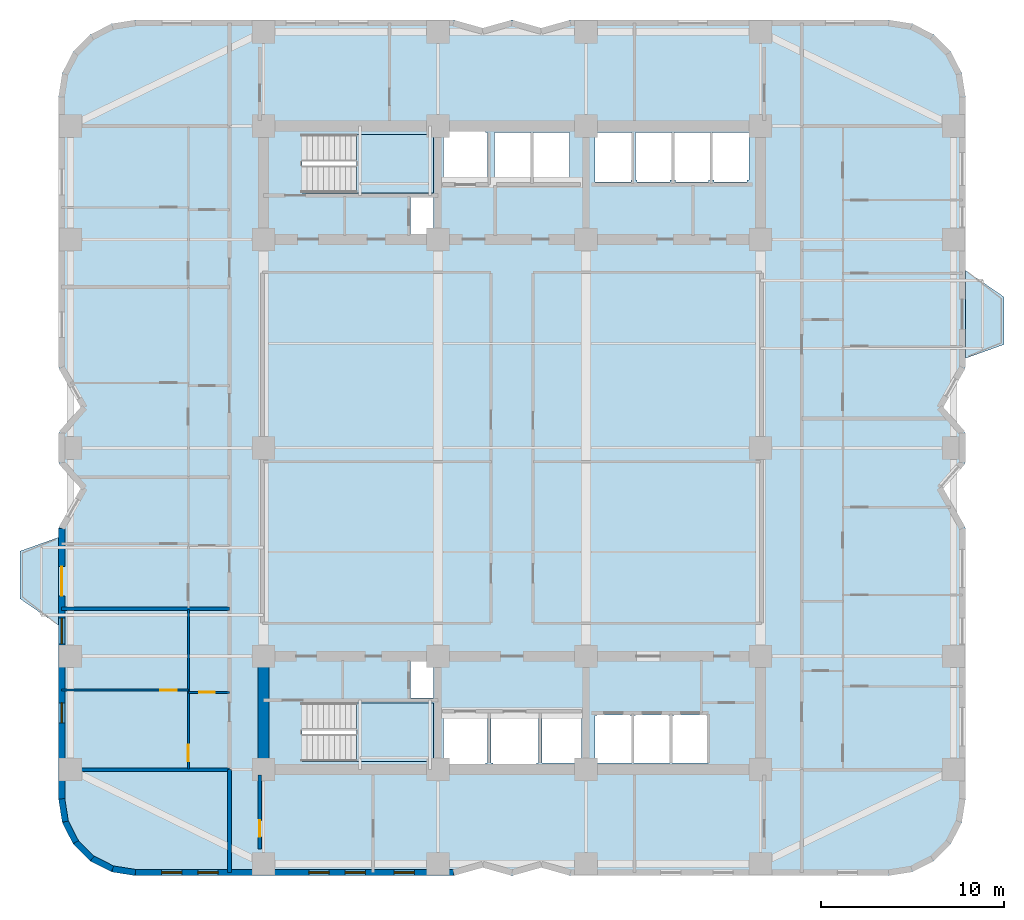
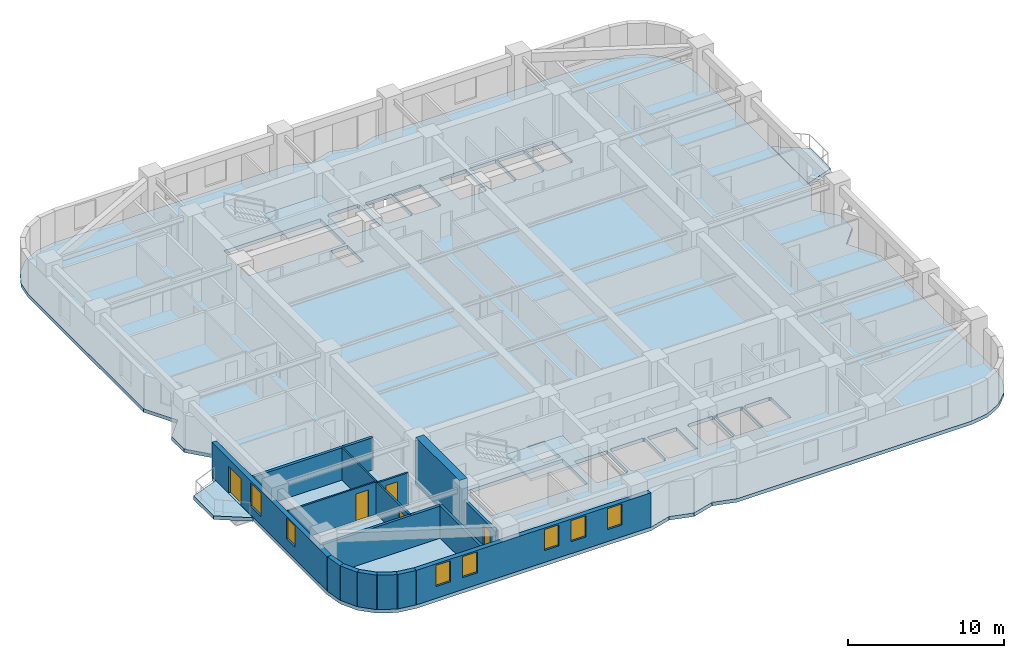
# One storey, part 2 of 9: 15 walls, 7 windows, 5 doors, 5 slabs, 12 openings, 2 elements without a shape of their own.
"""IFC4 building model written with IfcOpenShell, lengths in metres."""

import ifcopenshell
import ifcopenshell.guid

model = None  # the IFC model being written
_history = None  # IfcOwnerHistory: only IFC2X3 demands one
_inside = {}  # id of a spatial element -> (the spatial element, [elements in it])
_under = {}  # id of a project, library or spatial element -> (it, [spatial elements below it])
_declared = {}  # id of a project -> (the project, [libraries it declares])
_typed = {}  # id of a type object -> (the type object, [elements of that type])
_made_of = {}  # id of a material, layer set ... -> (it, [elements and type objects made of it])


def new_model(schema):
    """Start an empty IFC model of exactly this schema.

    Asked for "IFC4X3", IfcOpenShell would pick the latest addendum, in which some entities
    have other attributes; the version numbers below select the first issue.
    IFC2X3 requires an IfcOwnerHistory on every rooted entity: one is made here for all.
    """
    global model, _history
    if schema == "IFC4X3":
        model = ifcopenshell.file(schema_version=(4, 3, 0, 0))
    else:
        model = ifcopenshell.file(schema=schema)
    _inside.clear()
    _under.clear()
    _declared.clear()
    _typed.clear()
    _made_of.clear()
    _history = None
    if model.schema == "IFC2X3":
        org = make("IfcOrganization", Name="unknown")
        user = make(
            "IfcPersonAndOrganization",
            ThePerson=make("IfcPerson", FamilyName="unknown"),
            TheOrganization=org,
        )
        app = make(
            "IfcApplication",
            ApplicationDeveloper=org,
            Version="unknown",
            ApplicationFullName="unknown",
            ApplicationIdentifier="unknown",
        )
        _history = make(
            "IfcOwnerHistory",
            OwningUser=user,
            OwningApplication=app,
            ChangeAction="ADDED",
            CreationDate=0,
        )
    return model


def make(cls, **values):
    """One entity of the class cls with the attributes given. An attribute that is None is left unset."""
    return model.create_entity(
        cls, **{name: value for name, value in values.items() if value is not None}
    )


def rooted(cls, **values):
    """An entity with a GlobalId (a new one), such as an element, a storey or a relation."""
    return make(cls, GlobalId=ifcopenshell.guid.new(), OwnerHistory=_history, **values)


def si_unit(unit_type, name, prefix=None):
    """IfcSIUnit, for example si_unit("LENGTHUNIT", "METRE", prefix="MILLI")."""
    return make("IfcSIUnit", UnitType=unit_type, Prefix=prefix, Name=name)


def assignment(units):
    """IfcUnitAssignment: the units of a project."""
    return None if units is None else make("IfcUnitAssignment", Units=units)


def point(xyz):
    """IfcCartesianPoint."""
    return None if xyz is None else make("IfcCartesianPoint", Coordinates=xyz)


def direction(xyz):
    """IfcDirection."""
    return None if xyz is None else make("IfcDirection", DirectionRatios=xyz)


def frame(location, z_axis=None, x_axis=None):
    """IfcAxis2Placement3D, a coordinate frame: its origin and axes. An axis left out is left unset."""
    return make(
        "IfcAxis2Placement3D",
        Location=point(location),
        Axis=direction(z_axis),
        RefDirection=direction(x_axis),
    )


def frame_2d(location, x_axis=None):
    """IfcAxis2Placement2D, a coordinate frame in the plane: its origin and x axis."""
    return make(
        "IfcAxis2Placement2D", Location=point(location), RefDirection=direction(x_axis)
    )


def origin():
    """The frame at (0, 0, 0) with its axes left unset."""
    return frame((0.0, 0.0, 0.0))


def place(relative_to, where):
    """IfcLocalPlacement: puts the frame where relative to a parent placement (None: the world)."""
    return make(
        "IfcLocalPlacement", PlacementRelTo=relative_to, RelativePlacement=where
    )


def context(
    kind, dimensions, precision=None, world=None, true_north=None, identifier=None
):
    """IfcGeometricRepresentationContext, for example the 3D "Model" context."""
    return make(
        "IfcGeometricRepresentationContext",
        ContextIdentifier=identifier,
        ContextType=kind,
        CoordinateSpaceDimension=dimensions,
        Precision=precision,
        WorldCoordinateSystem=world,
        TrueNorth=true_north,
    )


def subcontext(parent, identifier, kind, view, scale=None):
    """IfcGeometricRepresentationSubContext, for example "Body" below "Model"."""
    return make(
        "IfcGeometricRepresentationSubContext",
        ContextIdentifier=identifier,
        ContextType=kind,
        ParentContext=parent,
        TargetScale=scale,
        TargetView=view,
    )


def project(units=None, contexts=None):
    """IfcProject with its units and contexts."""
    return rooted(
        "IfcProject",
        Name="project",
        RepresentationContexts=contexts,
        UnitsInContext=assignment(units),
    )


def spatial(cls, under=None, at=None, **own):
    """A site, building, storey or space (cls), placed at a placement, below another one or the project."""
    s = rooted(cls, ObjectPlacement=at, **own)
    if under is not None:
        _under.setdefault(under.id(), (under, []))[1].append(s)
    return s


def polyline(points):
    """IfcPolyline through the points."""
    return make("IfcPolyline", Points=[point(p) for p in points])


def profile(cls, at=None, kind="AREA", **sizes):
    """A parametric profile (cls). Its sizes go by their IFC names, for example OverallWidth=200.0."""
    return make(cls, ProfileType=kind, Position=at, **sizes)


def rectangle(**sizes):
    """IfcRectangleProfileDef."""
    return profile("IfcRectangleProfileDef", **sizes)


def outline(outer, holes=None, kind="AREA"):
    """IfcArbitraryClosedProfileDef: a profile drawn as a closed curve; with holes, ...WithVoids."""
    if holes is None:
        return make("IfcArbitraryClosedProfileDef", ProfileType=kind, OuterCurve=outer)
    return make(
        "IfcArbitraryProfileDefWithVoids",
        ProfileType=kind,
        OuterCurve=outer,
        InnerCurves=holes,
    )


def extrude(swept, where, along, depth):
    """IfcExtrudedAreaSolid: the profile swept, set in the frame where, extruded along a direction by depth."""
    return make(
        "IfcExtrudedAreaSolid",
        SweptArea=swept,
        Position=where,
        ExtrudedDirection=direction(along),
        Depth=depth,
    )


def shape(context_of_items, identifier, shape_type, items):
    """IfcShapeRepresentation: the items that make up one representation, for example the "Body"."""
    return make(
        "IfcShapeRepresentation",
        ContextOfItems=context_of_items,
        RepresentationIdentifier=identifier,
        RepresentationType=shape_type,
        Items=items,
    )


def material(Name=None, Category=None):
    """IfcMaterial."""
    return make("IfcMaterial", Name=Name, Category=Category)


def layer(
    of_material, thickness, ventilated=None, Name=None, Category=None, Priority=None
):
    """IfcMaterialLayer: one layer of a wall or slab, of a material (None: an air gap)."""
    return make(
        "IfcMaterialLayer",
        Material=of_material,
        LayerThickness=thickness,
        IsVentilated=ventilated,
        Name=Name,
        Category=Category,
        Priority=Priority,
    )


def layer_set(layers, Name=None):
    """IfcMaterialLayerSet."""
    return make("IfcMaterialLayerSet", MaterialLayers=layers, LayerSetName=Name)


def made_of(thing, what):
    """Note that an element or type object is made of a material, layer set ...; save() writes the relation."""
    if what is not None:
        _made_of.setdefault(what.id(), (what, []))[1].append(thing)
    return thing


def type_object(cls, material=None, **own):
    """A type object (cls), such as IfcWallType, which elements share."""
    return made_of(rooted(cls, **own), material)


def element(
    cls,
    number,
    at=None,
    inside=None,
    cuts=None,
    type_object=None,
    material=None,
    context=None,
    identifier="Body",
    shape_type=None,
    held_by="IfcProductDefinitionShape",
    body=None,
    shapes=None,
    **own,
):
    """One element of the class cls, such as IfcWall. Its Tag is "e" and its number.

    at: its placement. inside: the storey or other place that contains it. cuts: it is an
    opening in that element (IfcRelVoidsElement). A single representation is given by context,
    identifier, shape_type and body (its items); several are given by shapes. held_by: the class
    of the entity that holds the representations. save() writes the other relations.
    """
    e = rooted(cls, Tag="e%d" % number, ObjectPlacement=at, **own)
    if body is not None:
        shapes = [shape(context, identifier, shape_type, body)]
    if shapes is not None:
        e.Representation = make(held_by, Representations=shapes)
    if inside is not None:
        _inside.setdefault(inside.id(), (inside, []))[1].append(e)
    if cuts is not None:
        rooted(
            "IfcRelVoidsElement", RelatingBuildingElement=cuts, RelatedOpeningElement=e
        )
    if type_object is not None:
        _typed.setdefault(type_object.id(), (type_object, []))[1].append(e)
    return made_of(e, material)


def fill(opening, filler):
    """IfcRelFillsElement: the door or window that sits in an opening."""
    return rooted(
        "IfcRelFillsElement",
        RelatingOpeningElement=opening,
        RelatedBuildingElement=filler,
    )


def aggregate(whole, parts):
    """IfcRelAggregates: a whole, such as a stair, and the parts it consists of."""
    return rooted("IfcRelAggregates", RelatingObject=whole, RelatedObjects=parts)


def save(model, path):
    """Write the relations noted so far, then the file.

    IfcRelAggregates (storeys below a building ...), IfcRelContainedInSpatialStructure (elements
    in a storey), IfcRelDefinesByType, IfcRelAssociatesMaterial and IfcRelDeclares: one each for
    every whole, place, type object, material and project.
    """
    for whole, parts in _under.values():
        aggregate(whole, parts)
    for where, things in _inside.values():
        rooted(
            "IfcRelContainedInSpatialStructure",
            RelatedElements=things,
            RelatingStructure=where,
        )
    for kind, things in _typed.values():
        rooted("IfcRelDefinesByType", RelatedObjects=things, RelatingType=kind)
    for what, things in _made_of.values():
        rooted("IfcRelAssociatesMaterial", RelatedObjects=things, RelatingMaterial=what)
    for by, libraries in _declared.values():
        rooted("IfcRelDeclares", RelatingContext=by, RelatedDefinitions=libraries)
    model.write(path)


model = new_model("IFC4")

# Units and contexts
model_context = context("Model", 3, precision=1e-05, world=origin(), true_north=direction((0.0, 1.0)))
body_context = subcontext(model_context, "Body", "Model", "MODEL_VIEW")
ifc_project = project(units=[si_unit("LENGTHUNIT", "METRE"), si_unit("AREAUNIT", "SQUARE_METRE"), si_unit("VOLUMEUNIT", "CUBIC_METRE"), si_unit("PLANEANGLEUNIT", "RADIAN"), si_unit("MASSUNIT", "GRAM", prefix="KILO")], contexts=[model_context])

# Site, building, storey
site_placement = place(None, origin())
site = spatial("IfcSite", under=ifc_project, at=site_placement, CompositionType="ELEMENT")
building_placement = place(site_placement, origin())
building = spatial("IfcBuilding", under=site, at=building_placement, Name="Svetorya Sky Lyceum", CompositionType="ELEMENT")
storey_placement = place(building_placement, frame((0.0, 0.0, 54.699951171875)))
storey = spatial("IfcBuildingStorey", under=building, at=storey_placement, Name="L13", CompositionType="ELEMENT", Elevation=54.699951171875)

# Slabs
ifc_material_1 = material(Name="Concrete C40/50", Category="concrete")
ifc_layer_1 = layer(ifc_material_1, 0.280029296875)
ifc_layer_set_1 = layer_set([ifc_layer_1], Name="Concrete C40/50")
slab_type_1 = type_object("IfcSlabType", Name="SL-BAL-280", PredefinedType="FLOOR", material=ifc_layer_set_1)
slab_1_placement = place(storey_placement, frame((0.0, 0.0, -0.280029296875)))
element("IfcSlab", 1, at=slab_1_placement, inside=storey, type_object=slab_type_1, Name="L13 Chamfered Loggia Balcony BAL-W1", PredefinedType="FLOOR", context=body_context, shape_type="SweptSolid", body=[
    extrude(outline(polyline([(14.389892578125, 18.5), (14.389892578125, 23.300048828125), (12.2900390625, 22.550048828125), (12.2900390625, 19.949951171875), (14.389892578125, 18.5)])), origin(), (0.0, 0.0, 1.0), 0.280029296875),
])
slab_2_placement = place(storey_placement, frame((0.0, 0.0, -0.280029296875)))
element("IfcSlab", 2, at=slab_2_placement, inside=storey, type_object=slab_type_1, Name="L13 Chamfered Loggia Balcony BAL-E1", PredefinedType="FLOOR", context=body_context, shape_type="SweptSolid", body=[
    extrude(outline(polyline([(64.010009765625, 33.10009765625), (66.110107421875, 33.85009765625), (66.110107421875, 36.449951171875), (64.010009765625, 37.89990234375), (64.010009765625, 33.10009765625)])), origin(), (0.0, 0.0, 1.0), 0.280029296875),
])

# Stair, slab
stair_type_1 = type_object("IfcStairType", Name="STR-ST-S", PredefinedType="HALF_TURN_STAIR", material=ifc_material_1)
stair_1_placement = place(storey_placement, origin())
stair_1 = element("IfcStair", 3, at=stair_1_placement, inside=storey, type_object=stair_type_1, Name="L13 South Core Smoke-Free Exit Stair N2", PredefinedType="HALF_TURN_STAIR")
ifc_layer_2 = layer(ifc_material_1, 0.199951171875)
ifc_layer_set_2 = layer_set([ifc_layer_2], Name="Concrete C40/50")
slab_type_2 = type_object("IfcSlabType", Name="SL-STR-LAND-200", PredefinedType="LANDING", material=ifc_layer_set_2)
slab_3_placement = place(storey_placement, frame((0.0, 0.0, 1.650146484375)))
slab_3 = element("IfcSlab", 4, at=slab_3_placement, type_object=slab_type_2, Name="ST-S landing 1", PredefinedType="LANDING", context=body_context, shape_type="SweptSolid", body=[
    extrude(outline(polyline([(30.699951171875, 11.050048828125), (34.89990234375, 11.050048828125), (34.89990234375, 14.25), (30.699951171875, 14.25), (30.699951171875, 11.050048828125)])), origin(), (0.0, 0.0, 1.0), 0.199951171875),
])
aggregate(stair_1, [slab_3])

stair_type_2 = type_object("IfcStairType", Name="STR-ST-N", PredefinedType="HALF_TURN_STAIR", material=ifc_material_1)
stair_2_placement = place(storey_placement, origin())
stair_2 = element("IfcStair", 5, at=stair_2_placement, inside=storey, type_object=stair_type_2, Name="L13 North Core Smoke-Free Exit Stair N3", PredefinedType="HALF_TURN_STAIR")
slab_4_placement = place(storey_placement, frame((0.0, 0.0, 1.650146484375)))
slab_4 = element("IfcSlab", 6, at=slab_4_placement, type_object=slab_type_2, Name="ST-N landing 1", PredefinedType="LANDING", context=body_context, shape_type="SweptSolid", body=[
    extrude(outline(polyline([(30.699951171875, 42.14990234375), (34.89990234375, 42.14990234375), (34.89990234375, 45.35009765625), (30.699951171875, 45.35009765625), (30.699951171875, 42.14990234375)])), origin(), (0.0, 0.0, 1.0), 0.199951171875),
])
aggregate(stair_2, [slab_4])

# Slab
ifc_material_2 = material(Name="Concrete C50/60", Category="concrete")
ifc_layer_3 = layer(ifc_material_2, 0.280029296875)
ifc_layer_set_3 = layer_set([ifc_layer_3], Name="Concrete C50/60")
slab_type_3 = type_object("IfcSlabType", Name="SL-TWR-280", PredefinedType="FLOOR", material=ifc_layer_set_3)
slab_5_placement = place(storey_placement, frame((0.0, 0.0, -0.280029296875)))
element("IfcSlab", 7, at=slab_5_placement, inside=storey, type_object=slab_type_3, Name="L13 Structural Floor Slab", PredefinedType="FLOOR", context=body_context, shape_type="SweptSolid", body=[
    extrude(outline(polyline([(14.39990234375, 9.0), (14.605712890625, 7.7021484375), (15.2021484375, 6.53125), (16.13134765625, 5.60205078125), (17.302001953125, 5.005615234375), (18.60009765625, 4.800048828125), (36.0, 4.800048828125), (37.60009765625, 5.25), (39.199951171875, 4.800048828125), (40.800048828125, 5.25), (42.39990234375, 4.800048828125), (59.800048828125, 4.800048828125), (61.097900390625, 5.005615234375), (62.268798828125, 5.60205078125), (63.197998046875, 6.53125), (63.79443359375, 7.7021484375), (64.0, 9.0), (64.0, 23.800048828125), (62.75, 26.0), (64.0, 27.39990234375), (64.0, 29.0), (62.75, 30.39990234375), (64.0, 32.60009765625), (64.0, 47.39990234375), (63.79443359375, 48.697998046875), (63.197998046875, 49.86865234375), (62.268798828125, 50.7978515625), (61.097900390625, 51.394287109375), (59.800048828125, 51.60009765625), (42.39990234375, 51.60009765625), (40.800048828125, 51.14990234375), (39.199951171875, 51.60009765625), (37.60009765625, 51.14990234375), (36.0, 51.60009765625), (18.60009765625, 51.60009765625), (17.302001953125, 51.394287109375), (16.13134765625, 50.7978515625), (15.2021484375, 49.86865234375), (14.605712890625, 48.697998046875), (14.39990234375, 47.39990234375), (14.39990234375, 32.60009765625), (15.64990234375, 30.39990234375), (14.39990234375, 29.0), (14.39990234375, 27.39990234375), (15.64990234375, 26.0), (14.39990234375, 23.800048828125), (14.39990234375, 9.0)]), holes=[polyline([(35.550048828125, 13.64990234375), (37.75, 13.64990234375), (37.85009765625, 13.64990234375), (37.85009765625, 10.949951171875), (37.75, 10.949951171875), (37.75, 10.85009765625), (35.550048828125, 10.85009765625), (35.550048828125, 10.949951171875), (35.449951171875, 10.949951171875), (35.449951171875, 13.64990234375), (35.550048828125, 13.64990234375)]), polyline([(40.64990234375, 10.949951171875), (40.550048828125, 10.949951171875), (40.550048828125, 10.800048828125), (38.14990234375, 10.800048828125), (38.14990234375, 10.949951171875), (38.050048828125, 10.949951171875), (38.050048828125, 13.64990234375), (38.14990234375, 13.64990234375), (38.14990234375, 13.699951171875), (40.550048828125, 13.699951171875), (40.550048828125, 13.64990234375), (40.64990234375, 13.64990234375), (40.64990234375, 10.949951171875)]), polyline([(40.85009765625, 13.64990234375), (43.0, 13.64990234375), (43.0, 10.949951171875), (40.85009765625, 10.949951171875), (40.85009765625, 13.64990234375)]), polyline([(27.719970703125, 14.25), (34.89990234375, 14.25), (34.89990234375, 11.050048828125), (27.719970703125, 11.050048828125), (27.719970703125, 14.25)]), polyline([(33.64990234375, 16.580078125), (34.89990234375, 16.580078125), (34.89990234375, 14.52001953125), (33.64990234375, 14.52001953125), (33.64990234375, 16.580078125)]), polyline([(33.64990234375, 39.820068359375), (33.64990234375, 41.89990234375), (34.89990234375, 41.89990234375), (34.89990234375, 39.820068359375), (33.64990234375, 39.820068359375)]), polyline([(27.719970703125, 45.35009765625), (34.89990234375, 45.35009765625), (34.89990234375, 42.14990234375), (27.719970703125, 42.14990234375), (27.719970703125, 45.35009765625)]), polyline([(35.550048828125, 42.75), (35.449951171875, 42.75), (35.449951171875, 45.449951171875), (35.550048828125, 45.449951171875), (35.550048828125, 45.550048828125), (37.75, 45.550048828125), (37.75, 45.449951171875), (37.85009765625, 45.449951171875), (37.85009765625, 42.75), (37.75, 42.75), (35.550048828125, 42.75)]), polyline([(40.199951171875, 42.85009765625), (40.199951171875, 42.75), (38.39990234375, 42.75), (38.39990234375, 42.85009765625), (38.25, 42.85009765625), (38.25, 45.449951171875), (38.39990234375, 45.449951171875), (40.199951171875, 45.449951171875), (40.25, 45.449951171875), (40.25, 42.85009765625), (40.199951171875, 42.85009765625)]), polyline([(40.39990234375, 42.85009765625), (40.35009765625, 42.85009765625), (40.35009765625, 45.449951171875), (40.39990234375, 45.449951171875), (42.300048828125, 45.449951171875), (42.35009765625, 45.449951171875), (42.35009765625, 42.85009765625), (42.300048828125, 42.85009765625), (42.300048828125, 42.75), (40.39990234375, 42.75), (40.39990234375, 42.85009765625)]), polyline([(43.85009765625, 10.949951171875), (43.75, 10.949951171875), (43.75, 13.550048828125), (43.85009765625, 13.550048828125), (43.85009765625, 13.60009765625), (45.64990234375, 13.60009765625), (45.64990234375, 13.550048828125), (45.75, 13.550048828125), (45.75, 10.949951171875), (45.64990234375, 10.949951171875), (43.85009765625, 10.949951171875)]), polyline([(45.949951171875, 10.949951171875), (45.85009765625, 10.949951171875), (45.85009765625, 13.550048828125), (45.949951171875, 13.550048828125), (45.949951171875, 13.60009765625), (47.75, 13.60009765625), (47.75, 13.550048828125), (47.85009765625, 13.550048828125), (47.85009765625, 10.949951171875), (47.75, 10.949951171875), (45.949951171875, 10.949951171875)]), polyline([(49.85009765625, 13.550048828125), (49.949951171875, 13.550048828125), (49.949951171875, 10.949951171875), (49.85009765625, 10.949951171875), (48.050048828125, 10.949951171875), (47.949951171875, 10.949951171875), (47.949951171875, 13.550048828125), (48.050048828125, 13.550048828125), (48.050048828125, 13.60009765625), (49.85009765625, 13.60009765625), (49.85009765625, 13.550048828125)]), polyline([(43.75, 42.85009765625), (43.75, 45.449951171875), (45.699951171875, 45.449951171875), (45.75, 45.449951171875), (45.75, 42.85009765625), (45.699951171875, 42.85009765625), (45.699951171875, 42.75), (43.75, 42.75), (43.75, 42.85009765625)]), polyline([(46.050048828125, 42.85009765625), (45.949951171875, 42.85009765625), (45.949951171875, 45.449951171875), (46.050048828125, 45.449951171875), (47.85009765625, 45.449951171875), (47.949951171875, 45.449951171875), (47.949951171875, 42.85009765625), (47.85009765625, 42.85009765625), (47.85009765625, 42.75), (46.050048828125, 42.75), (46.050048828125, 42.85009765625)]), polyline([(48.14990234375, 42.85009765625), (48.050048828125, 42.85009765625), (48.050048828125, 45.449951171875), (48.14990234375, 45.449951171875), (49.949951171875, 45.449951171875), (50.050048828125, 45.449951171875), (50.050048828125, 42.85009765625), (49.949951171875, 42.85009765625), (49.949951171875, 42.75), (48.14990234375, 42.75), (48.14990234375, 42.85009765625)]), polyline([(50.25, 42.85009765625), (50.14990234375, 42.85009765625), (50.14990234375, 45.449951171875), (50.25, 45.449951171875), (52.050048828125, 45.449951171875), (52.14990234375, 45.449951171875), (52.14990234375, 42.85009765625), (52.050048828125, 42.85009765625), (52.050048828125, 42.75), (50.25, 42.75), (50.25, 42.85009765625)])]), origin(), (0.0, 0.0, 1.0), 0.280029296875),
])

# Walls
ifc_material_3 = material(Name="Concrete C60/75", Category="concrete")
ifc_layer_4 = layer(ifc_material_3, 0.60009765625)
ifc_layer_set_4 = layer_set([ifc_layer_4], Name="Concrete C60/75")
wall_type_1 = type_object("IfcWallType", Name="WL-CORE-600", PredefinedType="SHEAR", material=ifc_layer_set_4)
wall_1_placement = place(storey_placement, frame((25.60009765625, 10.89990234375, 0.0), z_axis=(0.0, 0.0, 1.0), x_axis=(0.0, 1.0, 0.0)))
element("IfcWall", 8, at=wall_1_placement, inside=storey, type_object=wall_type_1, Name="L13 SC West Core Shear Wall", PredefinedType="SHEAR", context=body_context, shape_type="SweptSolid", body=[
    extrude(rectangle(XDim=5.60009765625, YDim=0.60009765625, at=frame_2d((2.800048828125, 0.0))), origin(), (0.0, 0.0, 1.0), 3.699951171875),
])
ifc_material_4 = material(Name="Putilovo limestone rainscreen on autoclaved cellular masonry", Category="masonry")
ifc_layer_5 = layer(ifc_material_4, 0.340087890625)
ifc_layer_set_5 = layer_set([ifc_layer_5], Name="Putilovo limestone rainscreen on autoclaved cellular masonry")
wall_type_2 = type_object("IfcWallType", Name="WL-EXT-340", PredefinedType="SOLIDWALL", material=ifc_layer_set_5)
wall_2_placement = place(storey_placement, frame((14.570068359375, 9.0, 0.0), z_axis=(0.0, 0.0, 1.0), x_axis=(0.156260864002, -0.98771582066, 0.0)))
element("IfcWall", 9, at=wall_2_placement, inside=storey, type_object=wall_type_2, Name="L13 Limestone Exterior Wall 1M", PredefinedType="SOLIDWALL", context=body_context, shape_type="SweptSolid", body=[
    extrude(rectangle(XDim=1.2607421875, YDim=0.340087890625, at=frame_2d((0.63037109375, 0.0))), origin(), (0.0, 0.0, 1.0), 2.699951171875),
])
wall_3_placement = place(storey_placement, frame((14.76708984375, 7.754638671875, 0.0), z_axis=(0.0, 0.0, 1.0), x_axis=(0.454015689056, -0.890993689142, 0.0)))
element("IfcWall", 10, at=wall_3_placement, inside=storey, type_object=wall_type_2, Name="L13 Limestone Exterior Wall 2M", PredefinedType="SOLIDWALL", context=body_context, shape_type="SweptSolid", body=[
    extrude(rectangle(XDim=1.260986328125, YDim=0.340087890625, at=frame_2d((0.63037109375, 0.0))), origin(), (0.0, 0.0, 1.0), 2.699951171875),
])
wall_4_placement = place(storey_placement, frame((15.339599609375, 6.631103515625, 0.0), z_axis=(0.0, 0.0, 1.0), x_axis=(0.707203598708, -0.707009950407, 0.0)))
element("IfcWall", 11, at=wall_4_placement, inside=storey, type_object=wall_type_2, Name="L13 Limestone Exterior Wall 3M", PredefinedType="SOLIDWALL", context=body_context, shape_type="SweptSolid", body=[
    extrude(rectangle(XDim=1.2607421875, YDim=0.340087890625, at=frame_2d((0.63037109375, 0.0))), origin(), (0.0, 0.0, 1.0), 2.699951171875),
])
for number, where, z_axis, x_axis, name in (
    (12, (16.231201171875, 5.73974609375, 0.0), (0.0, 0.0, 1.0), (0.890993689142, -0.454015689056, 0.0), "L13 Limestone Exterior Wall 4M"),
    (13, (17.354736328125, 5.167236328125, 0.0), (0.0, 0.0, 1.0), (0.987685918112, -0.15644975923, 0.0), "L13 Limestone Exterior Wall 5M"),
):
    element("IfcWall", number, at=place(storey_placement, frame(where, z_axis=z_axis, x_axis=x_axis)), inside=storey, type_object=wall_type_2, Name=name, PredefinedType="SOLIDWALL", context=body_context, shape_type="SweptSolid", body=[
        extrude(rectangle(XDim=1.260986328125, YDim=0.340087890625, at=frame_2d((0.63037109375, 0.0))), origin(), (0.0, 0.0, 1.0), 2.699951171875),
    ])

# Wall, openings, windows
wall_5_placement = place(storey_placement, frame((18.60009765625, 4.969970703125, 0.0), z_axis=(0.0, 0.0, 1.0), x_axis=(1.0, 0.0, 0.0)))
wall_5 = element("IfcWall", 14, at=wall_5_placement, inside=storey, type_object=wall_type_2, Name="L13 Limestone Exterior Wall 6M", PredefinedType="SOLIDWALL", context=body_context, shape_type="SweptSolid", body=[
    extrude(rectangle(XDim=17.39990234375, YDim=0.340087890625, at=frame_2d((8.699951171875, 0.0))), origin(), (0.0, 0.0, 1.0), 2.699951171875),
])
opening_1_placement = place(wall_5_placement, frame((1.441650390625, 0.0, 0.929931640625)))
opening_1 = element("IfcOpeningElement", 15, at=opening_1_placement, cuts=wall_5, Name="Opening W-R3", PredefinedType="OPENING", context=body_context, shape_type="SweptSolid", body=[
    extrude(rectangle(XDim=1.10009765625, YDim=1.64990234375, at=frame_2d((0.550048828125, 0.824951171875))), frame((0.0, 0.179931640625, 0.0), z_axis=(0.0, -1.0, 0.0), x_axis=(1.0, 0.0, 0.0)), (0.0, 0.0, 1.0), 0.360107421875),
])
opening_2_placement = place(wall_5_placement, frame((3.425048828125, 0.0, 0.929931640625)))
opening_2 = element("IfcOpeningElement", 16, at=opening_2_placement, cuts=wall_5, Name="Opening W-R3", PredefinedType="OPENING", context=body_context, shape_type="SweptSolid", body=[
    extrude(rectangle(XDim=1.10009765625, YDim=1.64990234375, at=frame_2d((0.550048828125, 0.824951171875))), frame((0.0, 0.179931640625, 0.0), z_axis=(0.0, -1.0, 0.0), x_axis=(1.0, 0.0, 0.0)), (0.0, 0.0, 1.0), 0.360107421875),
])
opening_3_placement = place(wall_5_placement, frame((9.49169921875, 0.0, 0.929931640625)))
opening_3 = element("IfcOpeningElement", 17, at=opening_3_placement, cuts=wall_5, Name="Opening W-R3", PredefinedType="OPENING", context=body_context, shape_type="SweptSolid", body=[
    extrude(rectangle(XDim=1.10009765625, YDim=1.64990234375, at=frame_2d((0.550048828125, 0.824951171875))), frame((0.0, 0.179931640625, 0.0), z_axis=(0.0, -1.0, 0.0), x_axis=(1.0, 0.0, 0.0)), (0.0, 0.0, 1.0), 0.360107421875),
])
opening_4_placement = place(wall_5_placement, frame((11.47509765625, 0.0, 0.929931640625)))
opening_4 = element("IfcOpeningElement", 18, at=opening_4_placement, cuts=wall_5, Name="Opening W-R3", PredefinedType="OPENING", context=body_context, shape_type="SweptSolid", body=[
    extrude(rectangle(XDim=1.10009765625, YDim=1.64990234375, at=frame_2d((0.550048828125, 0.824951171875))), frame((0.0, 0.179931640625, 0.0), z_axis=(0.0, -1.0, 0.0), x_axis=(1.0, 0.0, 0.0)), (0.0, 0.0, 1.0), 0.360107421875),
])
opening_5_placement = place(wall_5_placement, frame((14.158203125, 0.0, 0.929931640625)))
opening_5 = element("IfcOpeningElement", 19, at=opening_5_placement, cuts=wall_5, Name="Opening W-R3", PredefinedType="OPENING", context=body_context, shape_type="SweptSolid", body=[
    extrude(rectangle(XDim=1.10009765625, YDim=1.64990234375, at=frame_2d((0.550048828125, 0.824951171875))), frame((0.0, 0.179931640625, 0.0), z_axis=(0.0, -1.0, 0.0), x_axis=(1.0, 0.0, 0.0)), (0.0, 0.0, 1.0), 0.360107421875),
])
ifc_material_5 = material(Name="Thermally broken aluminium frame with triple low-E glazing", Category="aluminium")
window_type_1 = type_object("IfcWindowType", Name="WN-RES-110", PartitioningType="SINGLE_PANEL", PredefinedType="WINDOW", material=ifc_material_5)
window_1_placement = place(opening_1_placement, origin())
window_1 = element("IfcWindow", 20, at=window_1_placement, inside=storey, type_object=window_type_1, Name="L13 Facade Window W-R3.6M.1", OverallHeight=1.64990234375, OverallWidth=1.10009765625, PartitioningType="SINGLE_PANEL", PredefinedType="WINDOW", context=body_context, shape_type="SweptSolid", body=[
    extrude(rectangle(XDim=1.10009765625, YDim=1.64990234375, at=frame_2d((0.550048828125, 0.824951171875))), frame((0.0, 0.030029296875, 0.0), z_axis=(0.0, -1.0, 0.0), x_axis=(1.0, 0.0, 0.0)), (0.0, 0.0, 1.0), 0.06005859375),
])
fill(opening_1, window_1)
window_2_placement = place(opening_2_placement, origin())
window_2 = element("IfcWindow", 21, at=window_2_placement, inside=storey, type_object=window_type_1, Name="L13 Facade Window W-R3.6M.2", OverallHeight=1.64990234375, OverallWidth=1.10009765625, PartitioningType="SINGLE_PANEL", PredefinedType="WINDOW", context=body_context, shape_type="SweptSolid", body=[
    extrude(rectangle(XDim=1.10009765625, YDim=1.64990234375, at=frame_2d((0.550048828125, 0.824951171875))), frame((0.0, 0.030029296875, 0.0), z_axis=(0.0, -1.0, 0.0), x_axis=(1.0, 0.0, 0.0)), (0.0, 0.0, 1.0), 0.06005859375),
])
fill(opening_2, window_2)
window_3_placement = place(opening_3_placement, origin())
window_3 = element("IfcWindow", 22, at=window_3_placement, inside=storey, type_object=window_type_1, Name="L13 Facade Window W-R3.6M.3", OverallHeight=1.64990234375, OverallWidth=1.10009765625, PartitioningType="SINGLE_PANEL", PredefinedType="WINDOW", context=body_context, shape_type="SweptSolid", body=[
    extrude(rectangle(XDim=1.10009765625, YDim=1.64990234375, at=frame_2d((0.550048828125, 0.824951171875))), frame((0.0, 0.030029296875, 0.0), z_axis=(0.0, -1.0, 0.0), x_axis=(1.0, 0.0, 0.0)), (0.0, 0.0, 1.0), 0.06005859375),
])
fill(opening_3, window_3)
window_4_placement = place(opening_4_placement, origin())
window_4 = element("IfcWindow", 23, at=window_4_placement, inside=storey, type_object=window_type_1, Name="L13 Facade Window W-R3.6M.4", OverallHeight=1.64990234375, OverallWidth=1.10009765625, PartitioningType="SINGLE_PANEL", PredefinedType="WINDOW", context=body_context, shape_type="SweptSolid", body=[
    extrude(rectangle(XDim=1.10009765625, YDim=1.64990234375, at=frame_2d((0.550048828125, 0.824951171875))), frame((0.0, 0.030029296875, 0.0), z_axis=(0.0, -1.0, 0.0), x_axis=(1.0, 0.0, 0.0)), (0.0, 0.0, 1.0), 0.06005859375),
])
fill(opening_4, window_4)
window_5_placement = place(opening_5_placement, origin())
window_5 = element("IfcWindow", 24, at=window_5_placement, inside=storey, type_object=window_type_1, Name="L13 Facade Window W-R3.6M.5", OverallHeight=1.64990234375, OverallWidth=1.10009765625, PartitioningType="SINGLE_PANEL", PredefinedType="WINDOW", context=body_context, shape_type="SweptSolid", body=[
    extrude(rectangle(XDim=1.10009765625, YDim=1.64990234375, at=frame_2d((0.550048828125, 0.824951171875))), frame((0.0, 0.030029296875, 0.0), z_axis=(0.0, -1.0, 0.0), x_axis=(1.0, 0.0, 0.0)), (0.0, 0.0, 1.0), 0.06005859375),
])
fill(opening_5, window_5)

# Wall, openings, door, windows
wall_6_placement = place(storey_placement, frame((14.570068359375, 23.800048828125, 0.0), z_axis=(0.0, 0.0, 1.0), x_axis=(0.0, -1.0, 0.0)))
wall_6 = element("IfcWall", 25, at=wall_6_placement, inside=storey, type_object=wall_type_2, Name="L13 Limestone Exterior Wall 46M", PredefinedType="SOLIDWALL", context=body_context, shape_type="SweptSolid", body=[
    extrude(rectangle(XDim=14.800048828125, YDim=0.340087890625, at=frame_2d((7.39990234375, 0.0))), origin(), (0.0, 0.0, 1.0), 2.699951171875),
])
opening_6_placement = place(wall_6_placement, frame((2.10009765625, 0.0, 0.0)))
opening_6 = element("IfcOpeningElement", 26, at=opening_6_placement, cuts=wall_6, Name="Opening D-BL1", PredefinedType="OPENING", context=body_context, shape_type="SweptSolid", body=[
    extrude(rectangle(XDim=1.60009765625, YDim=2.10009765625, at=frame_2d((0.800048828125, 1.050048828125))), frame((0.0, 0.179931640625, 0.0), z_axis=(0.0, -1.0, 0.0), x_axis=(1.0, 0.0, 0.0)), (0.0, 0.0, 1.0), 0.360107421875),
])
opening_7_placement = place(wall_6_placement, frame((4.919921875, 0.0, 0.68994140625)))
opening_7 = element("IfcOpeningElement", 27, at=opening_7_placement, cuts=wall_6, Name="Opening W-R2", PredefinedType="OPENING", context=body_context, shape_type="SweptSolid", body=[
    extrude(rectangle(XDim=1.39990234375, YDim=1.85009765625, at=frame_2d((0.699951171875, 0.925048828125))), frame((0.0, 0.179931640625, 0.0), z_axis=(0.0, -1.0, 0.0), x_axis=(1.0, 0.0, 0.0)), (0.0, 0.0, 1.0), 0.360107421875),
])
opening_8_placement = place(wall_6_placement, frame((9.550048828125, 0.0, 0.929931640625)))
opening_8 = element("IfcOpeningElement", 28, at=opening_8_placement, cuts=wall_6, Name="Opening W-R3", PredefinedType="OPENING", context=body_context, shape_type="SweptSolid", body=[
    extrude(rectangle(XDim=1.10009765625, YDim=1.64990234375, at=frame_2d((0.550048828125, 0.824951171875))), frame((0.0, 0.179931640625, 0.0), z_axis=(0.0, -1.0, 0.0), x_axis=(1.0, 0.0, 0.0)), (0.0, 0.0, 1.0), 0.360107421875),
])
ifc_material_6 = material(Name="Insulated glazed aluminium balcony door", Category="aluminium")
door_type_1 = type_object("IfcDoorType", Name="DR-BAL-1600", OperationType="DOUBLE_DOOR_SINGLE_SWING", PredefinedType="DOOR", material=ifc_material_6)
door_1_placement = place(opening_6_placement, origin())
door_1 = element("IfcDoor", 29, at=door_1_placement, inside=storey, type_object=door_type_1, Name="L13 Balcony BAL-W1 Door", OperationType="DOUBLE_DOOR_SINGLE_SWING", OverallHeight=2.10009765625, OverallWidth=1.60009765625, PredefinedType="DOOR", context=body_context, shape_type="SweptSolid", body=[
    extrude(rectangle(XDim=1.60009765625, YDim=2.10009765625, at=frame_2d((0.800048828125, 1.050048828125))), frame((0.0, 0.02490234375, 0.0), z_axis=(0.0, -1.0, 0.0), x_axis=(1.0, 0.0, 0.0)), (0.0, 0.0, 1.0), 0.050048828125),
])
fill(opening_6, door_1)
window_6_placement = place(opening_8_placement, origin())
window_6 = element("IfcWindow", 30, at=window_6_placement, inside=storey, type_object=window_type_1, Name="L13 Facade Window W-R3.46M.1", OverallHeight=1.64990234375, OverallWidth=1.10009765625, PartitioningType="SINGLE_PANEL", PredefinedType="WINDOW", context=body_context, shape_type="SweptSolid", body=[
    extrude(rectangle(XDim=1.10009765625, YDim=1.64990234375, at=frame_2d((0.550048828125, 0.824951171875))), frame((0.0, 0.030029296875, 0.0), z_axis=(0.0, -1.0, 0.0), x_axis=(1.0, 0.0, 0.0)), (0.0, 0.0, 1.0), 0.06005859375),
])
fill(opening_8, window_6)
window_type_2 = type_object("IfcWindowType", Name="WN-RES-140", PartitioningType="SINGLE_PANEL", PredefinedType="WINDOW", material=ifc_material_5)
window_7_placement = place(opening_7_placement, origin())
window_7 = element("IfcWindow", 31, at=window_7_placement, inside=storey, type_object=window_type_2, Name="L13 Facade Window W-R2.46M.2", OverallHeight=1.85009765625, OverallWidth=1.39990234375, PartitioningType="SINGLE_PANEL", PredefinedType="WINDOW", context=body_context, shape_type="SweptSolid", body=[
    extrude(rectangle(XDim=1.39990234375, YDim=1.85009765625, at=frame_2d((0.699951171875, 0.925048828125))), frame((0.0, 0.030029296875, 0.0), z_axis=(0.0, -1.0, 0.0), x_axis=(1.0, 0.0, 0.0)), (0.0, 0.0, 1.0), 0.06005859375),
])
fill(opening_7, window_7)

# Wall, opening, door
ifc_material_7 = material(Name="Twin-stud galvanized framing with double fireboard", Category="gypsum")
ifc_layer_6 = layer(ifc_material_7, 0.1201171875)
ifc_layer_set_6 = layer_set([ifc_layer_6], Name="Twin-stud galvanized framing with double fireboard")
wall_type_3 = type_object("IfcWallType", Name="WL-PART-120", PredefinedType="PARTITIONING", material=ifc_layer_set_6)
wall_7_placement = place(storey_placement, frame((21.5, 14.820068359375, 0.0), z_axis=(0.0, 0.0, 1.0), x_axis=(1.0, 0.0, 0.0)))
wall_7 = element("IfcWall", 32, at=wall_7_placement, inside=storey, type_object=wall_type_3, Name="L13 Interior Partition W1-WH1", PredefinedType="PARTITIONING", context=body_context, shape_type="SweptSolid", body=[
    extrude(rectangle(XDim=2.25, YDim=0.1201171875, at=frame_2d((1.125, 0.0))), origin(), (0.0, 0.0, 1.0), 2.530029296875),
])
opening_9_placement = place(wall_7_placement, frame((0.60009765625, 0.0, 0.0)))
opening_9 = element("IfcOpeningElement", 33, at=opening_9_placement, cuts=wall_7, Name="Opening D-BT1", PredefinedType="OPENING", context=body_context, shape_type="SweptSolid", body=[
    extrude(rectangle(XDim=0.85009765625, YDim=2.10009765625, at=frame_2d((0.425048828125, 1.050048828125))), frame((0.0, 0.070068359375, 0.0), z_axis=(0.0, -1.0, 0.0), x_axis=(1.0, 0.0, 0.0)), (0.0, 0.0, 1.0), 0.14013671875),
])
ifc_material_8 = material(Name="Moisture-resistant laminate bathroom door")
door_type_2 = type_object("IfcDoorType", Name="DR-WET-850", OperationType="SINGLE_SWING_LEFT", PredefinedType="DOOR", material=ifc_material_8)
door_2_placement = place(opening_9_placement, origin())
door_2 = element("IfcDoor", 34, at=door_2_placement, inside=storey, type_object=door_type_2, Name="Apartment W1 Bathroom Door", OperationType="SINGLE_SWING_LEFT", OverallHeight=2.10009765625, OverallWidth=0.85009765625, PredefinedType="DOOR", context=body_context, shape_type="SweptSolid", body=[
    extrude(rectangle(XDim=0.85009765625, YDim=2.10009765625, at=frame_2d((0.425048828125, 1.050048828125))), frame((0.0, 0.02490234375, 0.0), z_axis=(0.0, -1.0, 0.0), x_axis=(1.0, 0.0, 0.0)), (0.0, 0.0, 1.0), 0.050048828125),
])
fill(opening_9, door_2)

wall_8_placement = place(storey_placement, frame((14.570068359375, 14.949951171875, 0.0), z_axis=(0.0, 0.0, 1.0), x_axis=(1.0, 0.0, 0.0)))
wall_8 = element("IfcWall", 35, at=wall_8_placement, inside=storey, type_object=wall_type_3, Name="L13 Interior Partition W1-WL1", PredefinedType="PARTITIONING", context=body_context, shape_type="SweptSolid", body=[
    extrude(rectangle(XDim=6.929931640625, YDim=0.1201171875, at=frame_2d((3.46484375, 0.0))), origin(), (0.0, 0.0, 1.0), 2.530029296875),
])
opening_10_placement = place(wall_8_placement, frame((5.3798828125, 0.0, 0.0)))
opening_10 = element("IfcOpeningElement", 36, at=opening_10_placement, cuts=wall_8, Name="Opening D-RM1", PredefinedType="OPENING", context=body_context, shape_type="SweptSolid", body=[
    extrude(rectangle(XDim=0.89990234375, YDim=2.10009765625, at=frame_2d((0.449951171875, 1.050048828125))), frame((0.0, 0.070068359375, 0.0), z_axis=(0.0, -1.0, 0.0), x_axis=(1.0, 0.0, 0.0)), (0.0, 0.0, 1.0), 0.14013671875),
])
ifc_material_9 = material(Name="Lacquered birch veneer internal door")
door_type_3 = type_object("IfcDoorType", Name="DR-INT-900", OperationType="SINGLE_SWING_LEFT", PredefinedType="DOOR", material=ifc_material_9)
door_3_placement = place(opening_10_placement, origin())
door_3 = element("IfcDoor", 37, at=door_3_placement, inside=storey, type_object=door_type_3, Name="Apartment W1 Bedroom 1 Door", OperationType="SINGLE_SWING_LEFT", OverallHeight=2.10009765625, OverallWidth=0.89990234375, PredefinedType="DOOR", context=body_context, shape_type="SweptSolid", body=[
    extrude(rectangle(XDim=0.89990234375, YDim=2.10009765625, at=frame_2d((0.449951171875, 1.050048828125))), frame((0.0, 0.02490234375, 0.0), z_axis=(0.0, -1.0, 0.0), x_axis=(1.0, 0.0, 0.0)), (0.0, 0.0, 1.0), 0.050048828125),
])
fill(opening_10, door_3)

wall_9_placement = place(storey_placement, frame((21.5, 10.639892578125, 0.0), z_axis=(0.0, 0.0, 1.0), x_axis=(0.0, 1.0, 0.0)))
wall_9 = element("IfcWall", 38, at=wall_9_placement, inside=storey, type_object=wall_type_3, Name="L13 Interior Partition W1-WV", PredefinedType="PARTITIONING", context=body_context, shape_type="SweptSolid", body=[
    extrude(rectangle(XDim=8.72021484375, YDim=0.1201171875, at=frame_2d((4.360107421875, 0.0))), origin(), (0.0, 0.0, 1.0), 2.530029296875),
])
opening_11_placement = place(wall_9_placement, frame((0.409912109375, 0.0, 0.0)))
opening_11 = element("IfcOpeningElement", 39, at=opening_11_placement, cuts=wall_9, Name="Opening D-RM1", PredefinedType="OPENING", context=body_context, shape_type="SweptSolid", body=[
    extrude(rectangle(XDim=0.89990234375, YDim=2.10009765625, at=frame_2d((0.449951171875, 1.050048828125))), frame((0.0, 0.070068359375, 0.0), z_axis=(0.0, -1.0, 0.0), x_axis=(1.0, 0.0, 0.0)), (0.0, 0.0, 1.0), 0.14013671875),
])
door_4_placement = place(opening_11_placement, origin())
door_4 = element("IfcDoor", 40, at=door_4_placement, inside=storey, type_object=door_type_3, Name="Apartment W1 Living Door", OperationType="SINGLE_SWING_RIGHT", OverallHeight=2.10009765625, OverallWidth=0.89990234375, PredefinedType="DOOR", context=body_context, shape_type="SweptSolid", body=[
    extrude(rectangle(XDim=0.89990234375, YDim=2.10009765625, at=frame_2d((0.449951171875, 1.050048828125))), frame((0.0, 0.02490234375, 0.0), z_axis=(0.0, -1.0, 0.0), x_axis=(1.0, 0.0, 0.0)), (0.0, 0.0, 1.0), 0.050048828125),
])
fill(opening_11, door_4)

# Walls
ifc_material_10 = material(Name="Autoclaved cellular masonry blockwork with gypsum plaster", Category="masonry")
ifc_layer_7 = layer(ifc_material_10, 0.199951171875)
ifc_layer_set_7 = layer_set([ifc_layer_7], Name="Autoclaved cellular masonry blockwork with gypsum plaster")
wall_type_4 = type_object("IfcWallType", Name="WL-PART-200", PredefinedType="PARTITIONING", material=ifc_layer_set_7)
wall_10_placement = place(storey_placement, frame((14.570068359375, 19.39990234375, 0.0), z_axis=(0.0, 0.0, 1.0), x_axis=(1.0, 0.0, 0.0)))
element("IfcWall", 41, at=wall_10_placement, inside=storey, type_object=wall_type_4, Name="L13 Interior Partition W-PARTY-1", PredefinedType="PARTITIONING", context=body_context, shape_type="SweptSolid", body=[
    extrude(rectangle(XDim=9.179931640625, YDim=0.199951171875, at=frame_2d((4.58984375, 0.0))), origin(), (0.0, 0.0, 1.0), 2.530029296875),
])
wall_11_placement = place(storey_placement, frame((14.989990234375, 10.60009765625, 0.0), z_axis=(0.0, 0.0, 1.0), x_axis=(1.0, 0.0, 0.0)))
element("IfcWall", 42, at=wall_11_placement, inside=storey, type_object=wall_type_4, Name="L13 Interior Partition W-CAP-S", PredefinedType="PARTITIONING", context=body_context, shape_type="SweptSolid", body=[
    extrude(rectangle(XDim=8.760009765625, YDim=0.199951171875, at=frame_2d((4.3798828125, 0.0))), origin(), (0.0, 0.0, 1.0), 2.530029296875),
])
wall_12_placement = place(storey_placement, frame((23.75, 4.969970703125, 0.0), z_axis=(0.0, 0.0, 1.0), x_axis=(0.0, 1.0, 0.0)))
element("IfcWall", 43, at=wall_12_placement, inside=storey, type_object=wall_type_4, Name="L13 Interior Partition WC-SW-END", PredefinedType="PARTITIONING", context=body_context, shape_type="SweptSolid", body=[
    extrude(rectangle(XDim=5.630126953125, YDim=0.199951171875, at=frame_2d((2.81494140625, 0.0))), origin(), (0.0, 0.0, 1.0), 2.530029296875),
])

# Wall, opening, door
wall_13_placement = place(storey_placement, frame((25.39990234375, 6.27001953125, 0.0), z_axis=(0.0, 0.0, 1.0), x_axis=(0.0, 1.0, 0.0)))
wall_13 = element("IfcWall", 44, at=wall_13_placement, inside=storey, type_object=wall_type_4, Name="L13 Interior Partition S-EW", PredefinedType="PARTITIONING", context=body_context, shape_type="SweptSolid", body=[
    extrude(rectangle(XDim=4.030029296875, YDim=0.199951171875, at=frame_2d((2.01513671875, 0.0))), origin(), (0.0, 0.0, 1.0), 2.530029296875),
])
opening_12_placement = place(wall_13_placement, frame((0.64990234375, 0.0, 0.0)))
opening_12 = element("IfcOpeningElement", 45, at=opening_12_placement, cuts=wall_13, Name="Opening D-RM1", PredefinedType="OPENING", context=body_context, shape_type="SweptSolid", body=[
    extrude(rectangle(XDim=0.89990234375, YDim=2.10009765625, at=frame_2d((0.449951171875, 1.050048828125))), frame((0.0, 0.10986328125, 0.0), z_axis=(0.0, -1.0, 0.0), x_axis=(1.0, 0.0, 0.0)), (0.0, 0.0, 1.0), 0.219970703125),
])
door_5_placement = place(opening_12_placement, origin())
door_5 = element("IfcDoor", 46, at=door_5_placement, inside=storey, type_object=door_type_3, Name="L13 South Study Door", OperationType="SINGLE_SWING_LEFT", OverallHeight=2.10009765625, OverallWidth=0.89990234375, PredefinedType="DOOR", context=body_context, shape_type="SweptSolid", body=[
    extrude(rectangle(XDim=0.89990234375, YDim=2.10009765625, at=frame_2d((0.449951171875, 1.050048828125))), frame((0.0, 0.02490234375, 0.0), z_axis=(0.0, -1.0, 0.0), x_axis=(1.0, 0.0, 0.0)), (0.0, 0.0, 1.0), 0.050048828125),
])
fill(opening_12, door_5)

save(model, "model.ifc")
